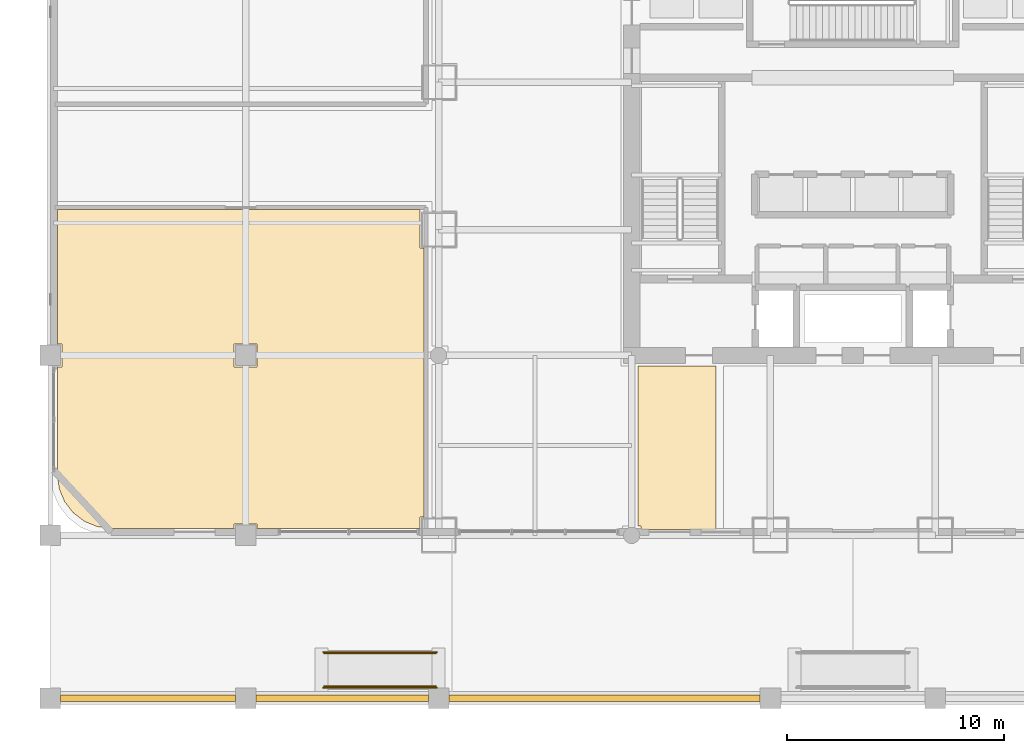
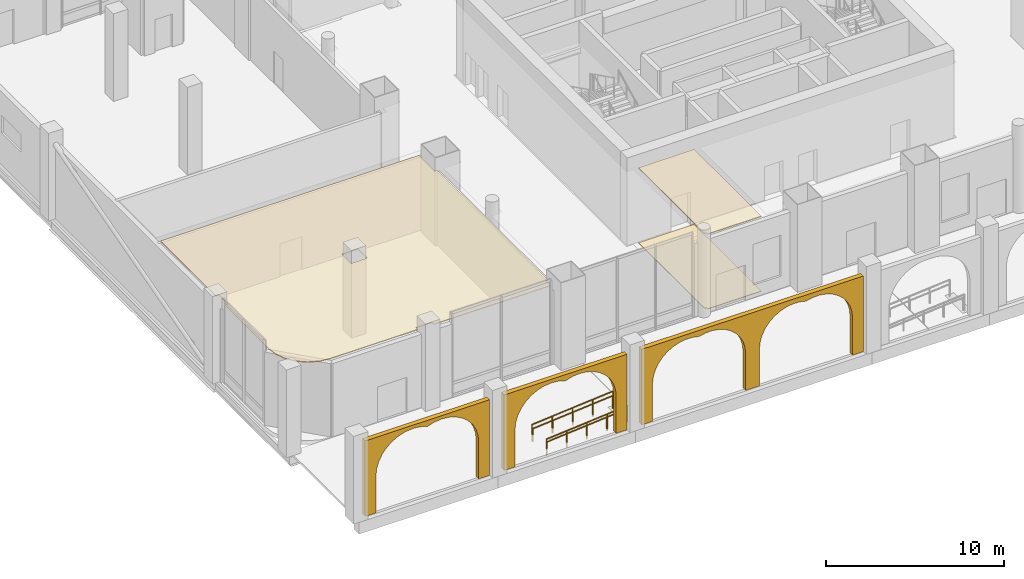
# One storey, part 25 of 32: 6 coverings, 4 railings.
"""IFC4 building model written with IfcOpenShell, lengths in metres."""

import ifcopenshell
import ifcopenshell.guid

model = None  # the IFC model being written
_history = None  # IfcOwnerHistory: only IFC2X3 demands one
_inside = {}  # id of a spatial element -> (the spatial element, [elements in it])
_under = {}  # id of a project, library or spatial element -> (it, [spatial elements below it])
_declared = {}  # id of a project -> (the project, [libraries it declares])
_typed = {}  # id of a type object -> (the type object, [elements of that type])
_made_of = {}  # id of a material, layer set ... -> (it, [elements and type objects made of it])


def new_model(schema):
    """Start an empty IFC model of exactly this schema.

    Asked for "IFC4X3", IfcOpenShell would pick the latest addendum, in which some entities
    have other attributes; the version numbers below select the first issue.
    IFC2X3 requires an IfcOwnerHistory on every rooted entity: one is made here for all.
    """
    global model, _history
    if schema == "IFC4X3":
        model = ifcopenshell.file(schema_version=(4, 3, 0, 0))
    else:
        model = ifcopenshell.file(schema=schema)
    _inside.clear()
    _under.clear()
    _declared.clear()
    _typed.clear()
    _made_of.clear()
    _history = None
    if model.schema == "IFC2X3":
        org = make("IfcOrganization", Name="unknown")
        user = make(
            "IfcPersonAndOrganization",
            ThePerson=make("IfcPerson", FamilyName="unknown"),
            TheOrganization=org,
        )
        app = make(
            "IfcApplication",
            ApplicationDeveloper=org,
            Version="unknown",
            ApplicationFullName="unknown",
            ApplicationIdentifier="unknown",
        )
        _history = make(
            "IfcOwnerHistory",
            OwningUser=user,
            OwningApplication=app,
            ChangeAction="ADDED",
            CreationDate=0,
        )
    return model


def make(cls, **values):
    """One entity of the class cls with the attributes given. An attribute that is None is left unset."""
    return model.create_entity(
        cls, **{name: value for name, value in values.items() if value is not None}
    )


def rooted(cls, **values):
    """An entity with a GlobalId (a new one), such as an element, a storey or a relation."""
    return make(cls, GlobalId=ifcopenshell.guid.new(), OwnerHistory=_history, **values)


def si_unit(unit_type, name, prefix=None):
    """IfcSIUnit, for example si_unit("LENGTHUNIT", "METRE", prefix="MILLI")."""
    return make("IfcSIUnit", UnitType=unit_type, Prefix=prefix, Name=name)


def assignment(units):
    """IfcUnitAssignment: the units of a project."""
    return None if units is None else make("IfcUnitAssignment", Units=units)


def point(xyz):
    """IfcCartesianPoint."""
    return None if xyz is None else make("IfcCartesianPoint", Coordinates=xyz)


def direction(xyz):
    """IfcDirection."""
    return None if xyz is None else make("IfcDirection", DirectionRatios=xyz)


def frame(location, z_axis=None, x_axis=None):
    """IfcAxis2Placement3D, a coordinate frame: its origin and axes. An axis left out is left unset."""
    return make(
        "IfcAxis2Placement3D",
        Location=point(location),
        Axis=direction(z_axis),
        RefDirection=direction(x_axis),
    )


def frame_2d(location, x_axis=None):
    """IfcAxis2Placement2D, a coordinate frame in the plane: its origin and x axis."""
    return make(
        "IfcAxis2Placement2D", Location=point(location), RefDirection=direction(x_axis)
    )


def origin():
    """The frame at (0, 0, 0) with its axes left unset."""
    return frame((0.0, 0.0, 0.0))


def origin_2d():
    """The frame at (0, 0) in the plane with its x axis left unset."""
    return frame_2d((0.0, 0.0))


def place(relative_to, where):
    """IfcLocalPlacement: puts the frame where relative to a parent placement (None: the world)."""
    return make(
        "IfcLocalPlacement", PlacementRelTo=relative_to, RelativePlacement=where
    )


def context(
    kind, dimensions, precision=None, world=None, true_north=None, identifier=None
):
    """IfcGeometricRepresentationContext, for example the 3D "Model" context."""
    return make(
        "IfcGeometricRepresentationContext",
        ContextIdentifier=identifier,
        ContextType=kind,
        CoordinateSpaceDimension=dimensions,
        Precision=precision,
        WorldCoordinateSystem=world,
        TrueNorth=true_north,
    )


def subcontext(parent, identifier, kind, view, scale=None):
    """IfcGeometricRepresentationSubContext, for example "Body" below "Model"."""
    return make(
        "IfcGeometricRepresentationSubContext",
        ContextIdentifier=identifier,
        ContextType=kind,
        ParentContext=parent,
        TargetScale=scale,
        TargetView=view,
    )


def project(units=None, contexts=None):
    """IfcProject with its units and contexts."""
    return rooted(
        "IfcProject",
        Name="project",
        RepresentationContexts=contexts,
        UnitsInContext=assignment(units),
    )


def spatial(cls, under=None, at=None, **own):
    """A site, building, storey or space (cls), placed at a placement, below another one or the project."""
    s = rooted(cls, ObjectPlacement=at, **own)
    if under is not None:
        _under.setdefault(under.id(), (under, []))[1].append(s)
    return s


def polyline(points):
    """IfcPolyline through the points."""
    return make("IfcPolyline", Points=[point(p) for p in points])


def profile(cls, at=None, kind="AREA", **sizes):
    """A parametric profile (cls). Its sizes go by their IFC names, for example OverallWidth=200.0."""
    return make(cls, ProfileType=kind, Position=at, **sizes)


def circle(**sizes):
    """IfcCircleProfileDef."""
    return profile("IfcCircleProfileDef", **sizes)


def outline(outer, holes=None, kind="AREA"):
    """IfcArbitraryClosedProfileDef: a profile drawn as a closed curve; with holes, ...WithVoids."""
    if holes is None:
        return make("IfcArbitraryClosedProfileDef", ProfileType=kind, OuterCurve=outer)
    return make(
        "IfcArbitraryProfileDefWithVoids",
        ProfileType=kind,
        OuterCurve=outer,
        InnerCurves=holes,
    )


def extrude(swept, where, along, depth):
    """IfcExtrudedAreaSolid: the profile swept, set in the frame where, extruded along a direction by depth."""
    return make(
        "IfcExtrudedAreaSolid",
        SweptArea=swept,
        Position=where,
        ExtrudedDirection=direction(along),
        Depth=depth,
    )


def shape(context_of_items, identifier, shape_type, items):
    """IfcShapeRepresentation: the items that make up one representation, for example the "Body"."""
    return make(
        "IfcShapeRepresentation",
        ContextOfItems=context_of_items,
        RepresentationIdentifier=identifier,
        RepresentationType=shape_type,
        Items=items,
    )


def material(Name=None, Category=None):
    """IfcMaterial."""
    return make("IfcMaterial", Name=Name, Category=Category)


def layer(
    of_material, thickness, ventilated=None, Name=None, Category=None, Priority=None
):
    """IfcMaterialLayer: one layer of a wall or slab, of a material (None: an air gap)."""
    return make(
        "IfcMaterialLayer",
        Material=of_material,
        LayerThickness=thickness,
        IsVentilated=ventilated,
        Name=Name,
        Category=Category,
        Priority=Priority,
    )


def layer_set(layers, Name=None):
    """IfcMaterialLayerSet."""
    return make("IfcMaterialLayerSet", MaterialLayers=layers, LayerSetName=Name)


def made_of(thing, what):
    """Note that an element or type object is made of a material, layer set ...; save() writes the relation."""
    if what is not None:
        _made_of.setdefault(what.id(), (what, []))[1].append(thing)
    return thing


def type_object(cls, material=None, **own):
    """A type object (cls), such as IfcWallType, which elements share."""
    return made_of(rooted(cls, **own), material)


def element(
    cls,
    number,
    at=None,
    inside=None,
    cuts=None,
    type_object=None,
    material=None,
    context=None,
    identifier="Body",
    shape_type=None,
    held_by="IfcProductDefinitionShape",
    body=None,
    shapes=None,
    **own,
):
    """One element of the class cls, such as IfcWall. Its Tag is "e" and its number.

    at: its placement. inside: the storey or other place that contains it. cuts: it is an
    opening in that element (IfcRelVoidsElement). A single representation is given by context,
    identifier, shape_type and body (its items); several are given by shapes. held_by: the class
    of the entity that holds the representations. save() writes the other relations.
    """
    e = rooted(cls, Tag="e%d" % number, ObjectPlacement=at, **own)
    if body is not None:
        shapes = [shape(context, identifier, shape_type, body)]
    if shapes is not None:
        e.Representation = make(held_by, Representations=shapes)
    if inside is not None:
        _inside.setdefault(inside.id(), (inside, []))[1].append(e)
    if cuts is not None:
        rooted(
            "IfcRelVoidsElement", RelatingBuildingElement=cuts, RelatedOpeningElement=e
        )
    if type_object is not None:
        _typed.setdefault(type_object.id(), (type_object, []))[1].append(e)
    return made_of(e, material)


def aggregate(whole, parts):
    """IfcRelAggregates: a whole, such as a stair, and the parts it consists of."""
    return rooted("IfcRelAggregates", RelatingObject=whole, RelatedObjects=parts)


def save(model, path):
    """Write the relations noted so far, then the file.

    IfcRelAggregates (storeys below a building ...), IfcRelContainedInSpatialStructure (elements
    in a storey), IfcRelDefinesByType, IfcRelAssociatesMaterial and IfcRelDeclares: one each for
    every whole, place, type object, material and project.
    """
    for whole, parts in _under.values():
        aggregate(whole, parts)
    for where, things in _inside.values():
        rooted(
            "IfcRelContainedInSpatialStructure",
            RelatedElements=things,
            RelatingStructure=where,
        )
    for kind, things in _typed.values():
        rooted("IfcRelDefinesByType", RelatedObjects=things, RelatingType=kind)
    for what, things in _made_of.values():
        rooted("IfcRelAssociatesMaterial", RelatedObjects=things, RelatingMaterial=what)
    for by, libraries in _declared.values():
        rooted("IfcRelDeclares", RelatingContext=by, RelatedDefinitions=libraries)
    model.write(path)


model = new_model("IFC4")

# Units and contexts
model_context = context("Model", 3, precision=1e-05, world=origin(), true_north=direction((0.0, 1.0)))
body_context = subcontext(model_context, "Body", "Model", "MODEL_VIEW")
ifc_project = project(units=[si_unit("LENGTHUNIT", "METRE"), si_unit("AREAUNIT", "SQUARE_METRE"), si_unit("VOLUMEUNIT", "CUBIC_METRE"), si_unit("PLANEANGLEUNIT", "RADIAN"), si_unit("MASSUNIT", "GRAM", prefix="KILO")], contexts=[model_context])

# Site, building, storey
site_placement = place(None, origin())
site = spatial("IfcSite", under=ifc_project, at=site_placement, CompositionType="ELEMENT")
building_placement = place(site_placement, origin())
building = spatial("IfcBuilding", under=site, at=building_placement, Name="Punatoya Terracotta Tower", CompositionType="ELEMENT")
storey_placement = place(building_placement, origin())
storey = spatial("IfcBuildingStorey", under=building, at=storey_placement, Name="L00", CompositionType="ELEMENT", Elevation=0.0)

# Coverings
ifc_material_1 = material(Name="Architectural Fired Terracotta Rainscreen", Category="masonry")
ifc_layer_1 = layer(ifc_material_1, 0.300048828125)
ifc_layer_set_1 = layer_set([ifc_layer_1], Name="Architectural Fired Terracotta Rainscreen")
covering_type_1 = type_object("IfcCoveringType", Name="COV-ARC-300", PredefinedType="CLADDING", material=ifc_layer_set_1)
covering_1_placement = place(storey_placement, frame((-36.52490234375, -25.0, 0.0), z_axis=(0.0, 0.0, 1.0), x_axis=(1.0, 0.0, 0.0)))
element("IfcCovering", 1, at=covering_1_placement, inside=storey, type_object=covering_type_1, Name="L00 Waterfront Arcade Pointed-Arch Spandrel Panel 01", PredefinedType="CLADDING", context=body_context, shape_type="SweptSolid", body=[
    extrude(outline(polyline([(0.0, 0.0), (0.699951171875, 0.0), (0.699951171875, 2.550048828125), (0.746337890625, 3.018310546875), (0.883544921875, 3.46875), (1.1064453125, 3.88330078125), (1.40625, 4.246337890625), (1.771240234375, 4.54345703125), (2.1875, 4.76318359375), (2.638916015625, 4.897216796875), (3.107666015625, 4.940185546875), (3.57568359375, 4.890380859375), (4.02490234375, 4.75), (4.474365234375, 4.890380859375), (4.9423828125, 4.940185546875), (5.4111328125, 4.897216796875), (5.8623046875, 4.76318359375), (6.27880859375, 4.54345703125), (6.643798828125, 4.246337890625), (6.943603515625, 3.88330078125), (7.16650390625, 3.46875), (7.3037109375, 3.018310546875), (7.35009765625, 2.550048828125), (7.35009765625, 0.0), (8.050048828125, 0.0), (8.050048828125, 5.169921875), (0.0, 5.169921875), (0.0, 0.0)])), frame((0.0, 0.14990234375, 0.0), z_axis=(0.0, -1.0, 0.0), x_axis=(1.0, 0.0, 0.0)), (0.0, 0.0, 1.0), 0.300048828125),
])
covering_2_placement = place(storey_placement, frame((-27.52490234375, -25.0, 0.0), z_axis=(0.0, 0.0, 1.0), x_axis=(1.0, 0.0, 0.0)))
element("IfcCovering", 2, at=covering_2_placement, inside=storey, type_object=covering_type_1, Name="L00 Waterfront Arcade Pointed-Arch Spandrel Panel 02", PredefinedType="CLADDING", context=body_context, shape_type="SweptSolid", body=[
    extrude(outline(polyline([(0.0, 0.0), (0.699951171875, 0.0), (0.699951171875, 2.550048828125), (0.745361328125, 3.012451171875), (0.8798828125, 3.457275390625), (1.098388671875, 3.8671875), (1.392578125, 4.22705078125), (1.751220703125, 4.522705078125), (2.160400390625, 4.742919921875), (2.604736328125, 4.879150390625), (3.06689453125, 4.926513671875), (3.52978515625, 4.8828125), (3.97509765625, 4.75), (4.42041015625, 4.8828125), (4.883056640625, 4.926513671875), (5.34521484375, 4.879150390625), (5.78955078125, 4.742919921875), (6.19873046875, 4.522705078125), (6.557373046875, 4.22705078125), (6.8515625, 3.8671875), (7.070068359375, 3.457275390625), (7.20458984375, 3.012451171875), (7.25, 2.550048828125), (7.25, 0.0), (7.949951171875, 0.0), (7.949951171875, 5.169921875), (0.0, 5.169921875), (0.0, 0.0)])), frame((0.0, 0.14990234375, 0.0), z_axis=(0.0, -1.0, 0.0), x_axis=(1.0, 0.0, 0.0)), (0.0, 0.0, 1.0), 0.300048828125),
])
covering_3_placement = place(storey_placement, frame((-18.625, -25.0, 0.0), z_axis=(0.0, 0.0, 1.0), x_axis=(1.0, 0.0, 0.0)))
element("IfcCovering", 3, at=covering_3_placement, inside=storey, type_object=covering_type_1, Name="L00 Waterfront Arcade Pointed-Arch Spandrel Panel 03", PredefinedType="CLADDING", context=body_context, shape_type="SweptSolid", body=[
    extrude(outline(polyline([(0.0, 0.0), (0.699951171875, 0.0), (0.699951171875, 2.550048828125), (0.74072265625, 2.981689453125), (0.861328125, 3.398193359375), (1.0576171875, 3.78466796875), (1.322998046875, 4.127685546875), (1.6474609375, 4.415283203125), (2.02001953125, 4.636962890625), (2.427490234375, 4.784912109375), (2.85546875, 4.8544921875), (3.288818359375, 4.842529296875), (3.71240234375, 4.75), (4.135986328125, 4.842529296875), (4.569580078125, 4.8544921875), (4.99755859375, 4.784912109375), (5.40478515625, 4.636962890625), (5.777587890625, 4.415283203125), (6.10205078125, 4.127685546875), (6.3671875, 3.78466796875), (6.563720703125, 3.398193359375), (6.684326171875, 2.981689453125), (6.72509765625, 2.550048828125), (6.72509765625, 0.0), (7.625, 0.0), (7.625, 2.550048828125), (7.665771484375, 2.981689453125), (7.786376953125, 3.398193359375), (7.982666015625, 3.78466796875), (8.247802734375, 4.127685546875), (8.572509765625, 4.415283203125), (8.945068359375, 4.636962890625), (9.3525390625, 4.784912109375), (9.780517578125, 4.8544921875), (10.2138671875, 4.842529296875), (10.637451171875, 4.75), (11.06103515625, 4.842529296875), (11.494384765625, 4.8544921875), (11.922607421875, 4.784912109375), (12.329833984375, 4.636962890625), (12.702392578125, 4.415283203125), (13.027099609375, 4.127685546875), (13.292236328125, 3.78466796875), (13.488525390625, 3.398193359375), (13.609375, 2.981689453125), (13.64990234375, 2.550048828125), (13.64990234375, 0.0), (14.35009765625, 0.0), (14.35009765625, 5.169921875), (0.0, 5.169921875), (0.0, 0.0)])), frame((0.0, 0.14990234375, 0.0), z_axis=(0.0, -1.0, 0.0), x_axis=(1.0, 0.0, 0.0)), (0.0, 0.0, 1.0), 0.300048828125),
])
ifc_material_2 = material(Name="Acoustic Mineral Fibre Ceiling")
ifc_layer_2 = layer(ifc_material_2, 0.06005859375)
ifc_layer_set_2 = layer_set([ifc_layer_2], Name="Acoustic Mineral Fibre Ceiling")
covering_type_2 = type_object("IfcCoveringType", Name="COV-CEIL-60", PredefinedType="CEILING", material=ifc_layer_set_2)
covering_4_placement = place(storey_placement, frame((0.0, 0.0, 5.110107421875)))
element("IfcCovering", 4, at=covering_4_placement, inside=storey, type_object=covering_type_2, Name="L00 Protected Exit Discharge Passageway ST-1 Acoustic Ceiling", PredefinedType="CEILING", context=body_context, shape_type="SweptSolid", body=[
    extrude(outline(polyline([(-6.300048828125, -9.679931640625), (-9.89990234375, -9.679931640625), (-9.89990234375, -17.074951171875), (-9.77490234375, -17.074951171875), (-9.77490234375, -17.219970703125), (-6.300048828125, -17.219970703125), (-6.300048828125, -9.679931640625)])), origin(), (0.0, 0.0, 1.0), 0.059814453125),
])
covering_5_placement = place(storey_placement, frame((0.0, 0.0, 5.110107421875)))
element("IfcCovering", 5, at=covering_5_placement, inside=storey, type_object=covering_type_2, Name="L00 West Heritage Terracotta Exhibition Gallery Acoustic Ceiling", PredefinedType="CEILING", context=body_context, shape_type="SweptSolid", body=[
    extrude(outline(polyline([(-28.52490234375, -16.97509765625), (-27.47509765625, -16.97509765625), (-27.47509765625, -17.179931640625), (-19.949951171875, -17.179931640625), (-19.949951171875, -16.64990234375), (-19.780029296875, -16.64990234375), (-19.780029296875, -4.25), (-19.949951171875, -4.25), (-19.949951171875, -2.47998046875), (-36.679931640625, -2.47998046875), (-36.679931640625, -8.675048828125), (-36.47509765625, -8.675048828125), (-36.47509765625, -9.72509765625), (-36.679931640625, -9.72509765625), (-36.679931640625, -14.678955078125), (-36.5927734375, -15.34130859375), (-36.345458984375, -15.938720703125), (-35.95166015625, -16.45166015625), (-35.438720703125, -16.845458984375), (-34.84130859375, -17.0927734375), (-34.178955078125, -17.179931640625), (-28.52490234375, -17.179931640625), (-28.52490234375, -16.97509765625)]), holes=[polyline([(-28.52490234375, -9.72509765625), (-28.52490234375, -8.675048828125), (-27.47509765625, -8.675048828125), (-27.47509765625, -9.72509765625), (-28.52490234375, -9.72509765625)])]), origin(), (0.0, 0.0, 1.0), 0.059814453125),
])
ifc_material_3 = material(Name="Sandstone & Raised Access Flooring", Category="masonry")
ifc_layer_3 = layer(ifc_material_3, 0.080078125)
ifc_layer_set_3 = layer_set([ifc_layer_3], Name="Sandstone & Raised Access Flooring")
covering_type_3 = type_object("IfcCoveringType", Name="COV-FLR-80", PredefinedType="FLOORING", material=ifc_layer_set_3)
covering_6_placement = place(storey_placement, origin())
element("IfcCovering", 6, at=covering_6_placement, inside=storey, type_object=covering_type_3, Name="L00 Protected Exit Discharge Passageway ST-1 Stone Floor Finish", PredefinedType="FLOORING", context=body_context, shape_type="SweptSolid", body=[
    extrude(outline(polyline([(-6.300048828125, -9.679931640625), (-9.89990234375, -9.679931640625), (-9.89990234375, -17.074951171875), (-9.77490234375, -17.074951171875), (-9.77490234375, -17.219970703125), (-6.300048828125, -17.219970703125), (-6.300048828125, -9.679931640625)])), origin(), (0.0, 0.0, 1.0), 0.0400390625),
])

# Railings
ifc_material_4 = material(Name="Steel S355", Category="steel")
railing_type_1 = type_object("IfcRailingType", Name="RLG-GRD-1150", PredefinedType="GUARDRAIL", material=ifc_material_4)
for number, where, name in (
    (7, (-24.419921875, -24.52001953125, -0.449951171875), "PR-1 Guardrail S"),
    (8, (-24.419921875, -22.8798828125, -0.449951171875), "PR-1 Guardrail N"),
):
    element("IfcRailing", number, at=place(storey_placement, frame(where)), inside=storey, type_object=railing_type_1, Name=name, PredefinedType="GUARDRAIL", context=body_context, shape_type="SweptSolid", body=[
        extrude(circle(Radius=0.02392578125, at=origin_2d()), frame((0.0, 0.0, 1.1259765625), z_axis=(0.996333546167, 0.0, 0.085553870642), x_axis=(0.0, 1.0, 0.0)), (0.0, 0.0, 1.0), 5.25927734375),
        extrude(circle(Radius=0.02099609375, at=origin_2d()), origin(), (0.0, 0.0, 1.0), 1.101806640625),
        extrude(circle(Radius=0.02099609375, at=origin_2d()), frame((1.31005859375, 0.0, 0.112548828125)), (0.0, 0.0, 1.0), 1.101806640625),
        extrude(circle(Radius=0.02099609375, at=origin_2d()), frame((2.6201171875, 0.0, 0.22509765625)), (0.0, 0.0, 1.0), 1.101806640625),
        extrude(circle(Radius=0.02099609375, at=origin_2d()), frame((3.929931640625, 0.0, 0.33740234375)), (0.0, 0.0, 1.0), 1.101806640625),
        extrude(circle(Radius=0.02099609375, at=origin_2d()), frame((5.239990234375, 0.0, 0.449951171875)), (0.0, 0.0, 1.0), 1.101806640625),
    ])
railing_type_2 = type_object("IfcRailingType", Name="RLG-HND-900", PredefinedType="HANDRAIL", material=ifc_material_4)
for number, where, name in (
    (9, (-24.3798828125, -24.4599609375, -0.449951171875), "PR-1 Handrail S"),
    (10, (-24.3798828125, -22.93994140625, -0.449951171875), "PR-1 Handrail N"),
):
    element("IfcRailing", number, at=place(storey_placement, frame(where)), inside=storey, type_object=railing_type_2, Name=name, PredefinedType="HANDRAIL", context=body_context, shape_type="SweptSolid", body=[
        extrude(circle(Radius=0.02392578125, at=origin_2d()), frame((0.0, 0.0, 0.8759765625), z_axis=(0.996219511194, 0.0, 0.086871661184), x_axis=(0.0, 1.0, 0.0)), (0.0, 0.0, 1.0), 5.179443359375),
        extrude(circle(Radius=0.02099609375, at=origin_2d()), origin(), (0.0, 0.0, 1.0), 0.851806640625),
        extrude(circle(Radius=0.02099609375, at=origin_2d()), frame((1.2900390625, 0.0, 0.112548828125)), (0.0, 0.0, 1.0), 0.851806640625),
        extrude(circle(Radius=0.02099609375, at=origin_2d()), frame((2.580078125, 0.0, 0.22509765625)), (0.0, 0.0, 1.0), 0.851806640625),
        extrude(circle(Radius=0.02099609375, at=origin_2d()), frame((3.869873046875, 0.0, 0.33740234375)), (0.0, 0.0, 1.0), 0.851806640625),
        extrude(circle(Radius=0.02099609375, at=origin_2d()), frame((5.159912109375, 0.0, 0.449951171875)), (0.0, 0.0, 1.0), 0.851806640625),
    ])

save(model, "model.ifc")
